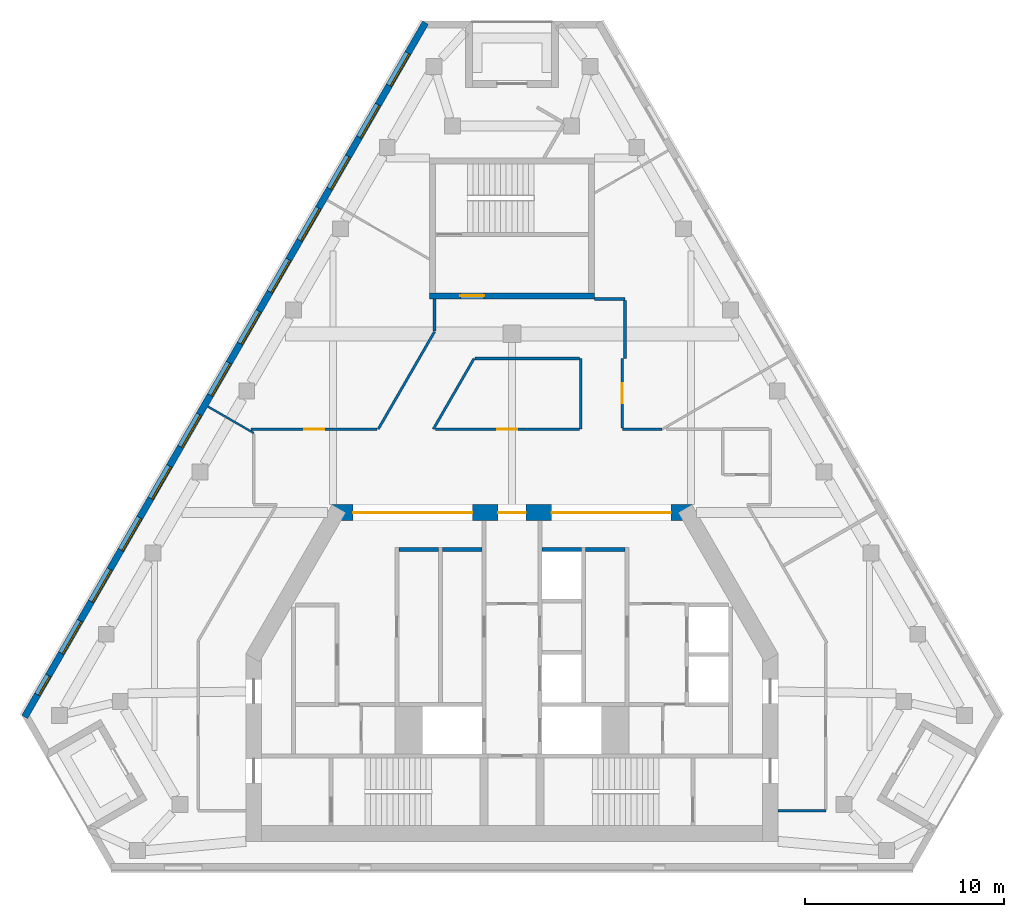
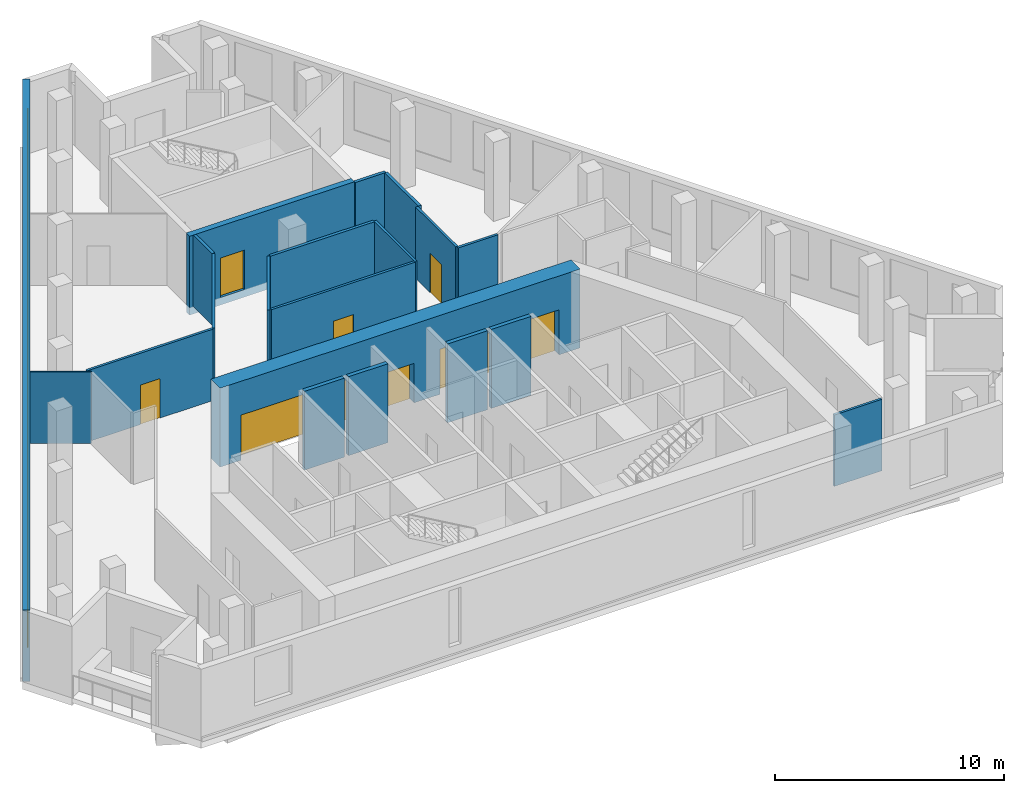
# One storey, part 4 of 8: 20 walls, 13 windows, 7 doors, 20 openings.
"""IFC4 building model written with IfcOpenShell, lengths in metres."""

from ifc_helpers import new_model, si_unit, direction, frame, frame_2d, origin, place, context, subcontext, project, spatial, rectangle, extrude, material, layer, layer_set, type_object, element, fill, save


model = new_model("IFC4")

# Units and contexts
model_context = context("Model", 3, precision=1e-05, world=origin(), true_north=direction((0.0, 1.0)))
body_context = subcontext(model_context, "Body", "Model", "MODEL_VIEW")
ifc_project = project(units=[si_unit("LENGTHUNIT", "METRE"), si_unit("AREAUNIT", "SQUARE_METRE"), si_unit("VOLUMEUNIT", "CUBIC_METRE"), si_unit("PLANEANGLEUNIT", "RADIAN"), si_unit("MASSUNIT", "GRAM", prefix="KILO")], contexts=[model_context])

# Site, building, storey
site_placement = place(None, origin())
site = spatial("IfcSite", under=ifc_project, at=site_placement, CompositionType="ELEMENT")
building_placement = place(site_placement, origin())
building = spatial("IfcBuilding", under=site, at=building_placement, Name="Fogline Exchange Tower", CompositionType="ELEMENT")
storey_placement = place(building_placement, frame((0.0, 0.0, 309.89990234375)))
storey = spatial("IfcBuildingStorey", under=building, at=storey_placement, Name="L70", CompositionType="ELEMENT", Elevation=309.89990234375)

# Walls
ifc_material_1 = material(Name="Concrete C40", Category="concrete")
ifc_layer_1 = layer(ifc_material_1, 0.199951171875)
ifc_layer_set_1 = layer_set([ifc_layer_1], Name="CW20S")
wall_type_1 = type_object("IfcWallType", Name="CW20S", PredefinedType="SOLIDWALL", material=ifc_layer_set_1)
for number, where, z_axis, x_axis, name in (
    (1, (-5.699951171875, 16.14990234375, -0.39990234375), (0.0, 0.0, 1.0), (1.0, 0.0, 0.0), "Lift shaft wall"),
    (2, (-3.5, 16.14990234375, -0.39990234375), (0.0, 0.0, 1.0), (1.0, 0.0, 0.0), "Lift shaft wall"),
    (3, (3.699951171875, 16.14990234375, -0.39990234375), (0.0, 0.0, 1.0), (1.0, 0.0, 0.0), "Lift shaft wall"),
    (4, (1.5, 16.14990234375, -0.39990234375), (0.0, 0.0, 1.0), (1.0, 0.0, 0.0), "Lift shaft wall"),
):
    element("IfcWall", number, at=place(storey_placement, frame(where, z_axis=z_axis, x_axis=x_axis)), inside=storey, type_object=wall_type_1, Name=name, PredefinedType="SOLIDWALL", context=body_context, shape_type="SweptSolid", body=[
        extrude(rectangle(XDim=2.0, YDim=0.199951171875, at=frame_2d((1.0, 0.0))), origin(), (0.0, 0.0, 1.0), 4.199951171875),
    ])

# Wall, opening, door
ifc_layer_2 = layer(ifc_material_1, 0.300048828125)
ifc_layer_set_2 = layer_set([ifc_layer_2], Name="CW30")
wall_type_2 = type_object("IfcWallType", Name="CW30", PredefinedType="SOLIDWALL", material=ifc_layer_set_2)
wall_1_placement = place(storey_placement, frame((-4.14990234375, 28.906982421875, -0.39990234375), z_axis=(0.0, 0.0, 1.0), x_axis=(1.0, 0.0, 0.0)))
wall_1 = element("IfcWall", 5, at=wall_1_placement, inside=storey, type_object=wall_type_2, Name="Stair enclosure wall ST3", PredefinedType="SOLIDWALL", context=body_context, shape_type="SweptSolid", body=[
    extrude(rectangle(XDim=8.2998046875, YDim=0.300048828125, at=frame_2d((4.14990234375, 0.0))), origin(), (0.0, 0.0, 1.0), 4.199951171875),
])
opening_1_placement = place(wall_1_placement, frame((1.550048828125, 0.0, 0.39990234375)))
opening_1 = element("IfcOpeningElement", 6, at=opening_1_placement, cuts=wall_1, Name="Opening T22-C022", PredefinedType="OPENING", context=body_context, shape_type="SweptSolid", body=[
    extrude(rectangle(XDim=1.199951171875, YDim=2.10009765625, at=frame_2d((0.60009765625, 1.050048828125))), frame((0.0, 0.16015625, 0.0), z_axis=(0.0, -1.0, 0.0), x_axis=(1.0, 0.0, 0.0)), (0.0, 0.0, 1.0), 0.320068359375),
])
ifc_material_2 = material(Name="Steel and timber fire door", Category="steel")
door_type_1 = type_object("IfcDoorType", Name="D-FR1", OperationType="SINGLE_SWING_RIGHT", PredefinedType="DOOR", material=ifc_material_2)
door_1_placement = place(opening_1_placement, origin())
door_1 = element("IfcDoor", 7, at=door_1_placement, inside=storey, type_object=door_type_1, Name="Front room door ST3", OperationType="SINGLE_SWING_LEFT", OverallHeight=2.10009765625, OverallWidth=1.199951171875, PredefinedType="DOOR", context=body_context, shape_type="SweptSolid", body=[
    extrude(rectangle(XDim=1.199951171875, YDim=2.10009765625, at=frame_2d((0.60009765625, 1.050048828125))), frame((0.0, 0.02490234375, 0.0), z_axis=(0.0, -1.0, 0.0), x_axis=(1.0, 0.0, 0.0)), (0.0, 0.0, 1.0), 0.050048828125),
])
fill(opening_1, door_1)

# Wall, openings, windows
ifc_material_3 = material(Name="Brick masonry", Category="masonry")
ifc_layer_3 = layer(ifc_material_3, 0.340087890625)
ifc_layer_set_3 = layer_set([ifc_layer_3], Name="FW1")
wall_type_3 = type_object("IfcWallType", Name="FW1", PredefinedType="SOLIDWALL", material=ifc_layer_set_3)
wall_2_placement = place(storey_placement, frame((-4.352783203125, 42.66162109375, 0.0), z_axis=(0.0, 0.0, 1.0), x_axis=(-0.499998406252, -0.866026323933, 0.0)))
wall_2 = element("IfcWall", 8, at=wall_2_placement, inside=storey, type_object=wall_type_3, Name="Brick wall L70 W", PredefinedType="SOLIDWALL", context=body_context, shape_type="SweptSolid", body=[
    extrude(rectangle(XDim=40.359619140625, YDim=0.340087890625, at=frame_2d((20.1796875, 0.0))), origin(), (0.0, 0.0, 1.0), 3.800048828125),
])
opening_2_placement = place(wall_2_placement, frame((1.769775390625, 0.0, 0.89990234375)))
opening_2 = element("IfcOpeningElement", 9, at=opening_2_placement, cuts=wall_2, Name="Opening W3", PredefinedType="OPENING", context=body_context, shape_type="SweptSolid", body=[
    extrude(rectangle(XDim=1.885009765625, YDim=2.60009765625, at=frame_2d((0.9423828125, 1.300048828125))), frame((0.0, 0.18017578125, 0.0), z_axis=(0.0, -1.0, 0.0), x_axis=(1.0, 0.0, 0.0)), (0.0, 0.0, 1.0), 0.360107421875),
])
opening_3_placement = place(wall_2_placement, frame((4.769775390625, 0.0, 0.89990234375)))
opening_3 = element("IfcOpeningElement", 10, at=opening_3_placement, cuts=wall_2, Name="Opening W3", PredefinedType="OPENING", context=body_context, shape_type="SweptSolid", body=[
    extrude(rectangle(XDim=1.885009765625, YDim=2.60009765625, at=frame_2d((0.9423828125, 1.300048828125))), frame((0.0, 0.18017578125, 0.0), z_axis=(0.0, -1.0, 0.0), x_axis=(1.0, 0.0, 0.0)), (0.0, 0.0, 1.0), 0.360107421875),
])
opening_4_placement = place(wall_2_placement, frame((7.769775390625, 0.0, 0.89990234375)))
opening_4 = element("IfcOpeningElement", 11, at=opening_4_placement, cuts=wall_2, Name="Opening W3", PredefinedType="OPENING", context=body_context, shape_type="SweptSolid", body=[
    extrude(rectangle(XDim=1.885009765625, YDim=2.60009765625, at=frame_2d((0.9423828125, 1.300048828125))), frame((0.0, 0.18017578125, 0.0), z_axis=(0.0, -1.0, 0.0), x_axis=(1.0, 0.0, 0.0)), (0.0, 0.0, 1.0), 0.360107421875),
])
opening_5_placement = place(wall_2_placement, frame((10.769775390625, 0.0, 0.89990234375)))
opening_5 = element("IfcOpeningElement", 12, at=opening_5_placement, cuts=wall_2, Name="Opening W3", PredefinedType="OPENING", context=body_context, shape_type="SweptSolid", body=[
    extrude(rectangle(XDim=1.885009765625, YDim=2.60009765625, at=frame_2d((0.9423828125, 1.300048828125))), frame((0.0, 0.18017578125, 0.0), z_axis=(0.0, -1.0, 0.0), x_axis=(1.0, 0.0, 0.0)), (0.0, 0.0, 1.0), 0.360107421875),
])
opening_6_placement = place(wall_2_placement, frame((13.769775390625, 0.0, 0.89990234375)))
opening_6 = element("IfcOpeningElement", 13, at=opening_6_placement, cuts=wall_2, Name="Opening W3", PredefinedType="OPENING", context=body_context, shape_type="SweptSolid", body=[
    extrude(rectangle(XDim=1.885009765625, YDim=2.60009765625, at=frame_2d((0.9423828125, 1.300048828125))), frame((0.0, 0.18017578125, 0.0), z_axis=(0.0, -1.0, 0.0), x_axis=(1.0, 0.0, 0.0)), (0.0, 0.0, 1.0), 0.360107421875),
])
opening_7_placement = place(wall_2_placement, frame((16.769775390625, 0.0, 0.89990234375)))
opening_7 = element("IfcOpeningElement", 14, at=opening_7_placement, cuts=wall_2, Name="Opening W3", PredefinedType="OPENING", context=body_context, shape_type="SweptSolid", body=[
    extrude(rectangle(XDim=1.885009765625, YDim=2.60009765625, at=frame_2d((0.9423828125, 1.300048828125))), frame((0.0, 0.18017578125, 0.0), z_axis=(0.0, -1.0, 0.0), x_axis=(1.0, 0.0, 0.0)), (0.0, 0.0, 1.0), 0.360107421875),
])
opening_8_placement = place(wall_2_placement, frame((19.769775390625, 0.0, 0.89990234375)))
opening_8 = element("IfcOpeningElement", 15, at=opening_8_placement, cuts=wall_2, Name="Opening W3", PredefinedType="OPENING", context=body_context, shape_type="SweptSolid", body=[
    extrude(rectangle(XDim=1.885009765625, YDim=2.60009765625, at=frame_2d((0.9423828125, 1.300048828125))), frame((0.0, 0.18017578125, 0.0), z_axis=(0.0, -1.0, 0.0), x_axis=(1.0, 0.0, 0.0)), (0.0, 0.0, 1.0), 0.360107421875),
])
opening_9_placement = place(wall_2_placement, frame((22.769775390625, 0.0, 0.89990234375)))
opening_9 = element("IfcOpeningElement", 16, at=opening_9_placement, cuts=wall_2, Name="Opening W3", PredefinedType="OPENING", context=body_context, shape_type="SweptSolid", body=[
    extrude(rectangle(XDim=1.885009765625, YDim=2.60009765625, at=frame_2d((0.9423828125, 1.300048828125))), frame((0.0, 0.18017578125, 0.0), z_axis=(0.0, -1.0, 0.0), x_axis=(1.0, 0.0, 0.0)), (0.0, 0.0, 1.0), 0.360107421875),
])
opening_10_placement = place(wall_2_placement, frame((25.769775390625, 0.0, 0.89990234375)))
opening_10 = element("IfcOpeningElement", 17, at=opening_10_placement, cuts=wall_2, Name="Opening W3", PredefinedType="OPENING", context=body_context, shape_type="SweptSolid", body=[
    extrude(rectangle(XDim=1.885009765625, YDim=2.60009765625, at=frame_2d((0.9423828125, 1.300048828125))), frame((0.0, 0.18017578125, 0.0), z_axis=(0.0, -1.0, 0.0), x_axis=(1.0, 0.0, 0.0)), (0.0, 0.0, 1.0), 0.360107421875),
])
opening_11_placement = place(wall_2_placement, frame((28.769775390625, 0.0, 0.89990234375)))
opening_11 = element("IfcOpeningElement", 18, at=opening_11_placement, cuts=wall_2, Name="Opening W3", PredefinedType="OPENING", context=body_context, shape_type="SweptSolid", body=[
    extrude(rectangle(XDim=1.885009765625, YDim=2.60009765625, at=frame_2d((0.9423828125, 1.300048828125))), frame((0.0, 0.18017578125, 0.0), z_axis=(0.0, -1.0, 0.0), x_axis=(1.0, 0.0, 0.0)), (0.0, 0.0, 1.0), 0.360107421875),
])
opening_12_placement = place(wall_2_placement, frame((31.769775390625, 0.0, 0.89990234375)))
opening_12 = element("IfcOpeningElement", 19, at=opening_12_placement, cuts=wall_2, Name="Opening W3", PredefinedType="OPENING", context=body_context, shape_type="SweptSolid", body=[
    extrude(rectangle(XDim=1.885009765625, YDim=2.60009765625, at=frame_2d((0.9423828125, 1.300048828125))), frame((0.0, 0.18017578125, 0.0), z_axis=(0.0, -1.0, 0.0), x_axis=(1.0, 0.0, 0.0)), (0.0, 0.0, 1.0), 0.360107421875),
])
opening_13_placement = place(wall_2_placement, frame((34.769775390625, 0.0, 0.89990234375)))
opening_13 = element("IfcOpeningElement", 20, at=opening_13_placement, cuts=wall_2, Name="Opening W3", PredefinedType="OPENING", context=body_context, shape_type="SweptSolid", body=[
    extrude(rectangle(XDim=1.885009765625, YDim=2.60009765625, at=frame_2d((0.9423828125, 1.300048828125))), frame((0.0, 0.18017578125, 0.0), z_axis=(0.0, -1.0, 0.0), x_axis=(1.0, 0.0, 0.0)), (0.0, 0.0, 1.0), 0.360107421875),
])
opening_14_placement = place(wall_2_placement, frame((37.94970703125, 0.0, 0.89990234375)))
opening_14 = element("IfcOpeningElement", 21, at=opening_14_placement, cuts=wall_2, Name="Opening W4", PredefinedType="OPENING", context=body_context, shape_type="SweptSolid", body=[
    extrude(rectangle(XDim=1.114990234375, YDim=2.39990234375, at=frame_2d((0.5576171875, 1.199951171875))), frame((0.0, 0.18017578125, 0.0), z_axis=(0.0, -1.0, 0.0), x_axis=(1.0, 0.0, 0.0)), (0.0, 0.0, 1.0), 0.360107421875),
])
ifc_material_4 = material(Name="Aluminium and glass", Category="aluminium")
window_type_1 = type_object("IfcWindowType", Name="W3", PartitioningType="SINGLE_PANEL", PredefinedType="WINDOW", material=ifc_material_4)
window_1_placement = place(opening_2_placement, origin())
window_1 = element("IfcWindow", 22, at=window_1_placement, inside=storey, type_object=window_type_1, Name="W3 W3", OverallHeight=2.60009765625, OverallWidth=1.885009765625, PartitioningType="SINGLE_PANEL", PredefinedType="WINDOW", context=body_context, shape_type="SweptSolid", body=[
    extrude(rectangle(XDim=1.885009765625, YDim=2.60009765625, at=frame_2d((0.9423828125, 1.300048828125))), frame((0.0, 0.110107421875, 0.0), z_axis=(0.0, -1.0, 0.0), x_axis=(1.0, 0.0, 0.0)), (0.0, 0.0, 1.0), 0.06005859375),
])
fill(opening_2, window_1)
window_2_placement = place(opening_3_placement, origin())
window_2 = element("IfcWindow", 23, at=window_2_placement, inside=storey, type_object=window_type_1, Name="W3 W3", OverallHeight=2.60009765625, OverallWidth=1.885009765625, PartitioningType="SINGLE_PANEL", PredefinedType="WINDOW", context=body_context, shape_type="SweptSolid", body=[
    extrude(rectangle(XDim=1.885009765625, YDim=2.60009765625, at=frame_2d((0.9423828125, 1.300048828125))), frame((0.0, 0.110107421875, 0.0), z_axis=(0.0, -1.0, 0.0), x_axis=(1.0, 0.0, 0.0)), (0.0, 0.0, 1.0), 0.06005859375),
])
fill(opening_3, window_2)
window_3_placement = place(opening_4_placement, origin())
window_3 = element("IfcWindow", 24, at=window_3_placement, inside=storey, type_object=window_type_1, Name="W3 W3", OverallHeight=2.60009765625, OverallWidth=1.885009765625, PartitioningType="SINGLE_PANEL", PredefinedType="WINDOW", context=body_context, shape_type="SweptSolid", body=[
    extrude(rectangle(XDim=1.885009765625, YDim=2.60009765625, at=frame_2d((0.9423828125, 1.300048828125))), frame((0.0, 0.110107421875, 0.0), z_axis=(0.0, -1.0, 0.0), x_axis=(1.0, 0.0, 0.0)), (0.0, 0.0, 1.0), 0.06005859375),
])
fill(opening_4, window_3)
window_4_placement = place(opening_5_placement, origin())
window_4 = element("IfcWindow", 25, at=window_4_placement, inside=storey, type_object=window_type_1, Name="W3 W3", OverallHeight=2.60009765625, OverallWidth=1.885009765625, PartitioningType="SINGLE_PANEL", PredefinedType="WINDOW", context=body_context, shape_type="SweptSolid", body=[
    extrude(rectangle(XDim=1.885009765625, YDim=2.60009765625, at=frame_2d((0.9423828125, 1.300048828125))), frame((0.0, 0.110107421875, 0.0), z_axis=(0.0, -1.0, 0.0), x_axis=(1.0, 0.0, 0.0)), (0.0, 0.0, 1.0), 0.06005859375),
])
fill(opening_5, window_4)
window_5_placement = place(opening_6_placement, origin())
window_5 = element("IfcWindow", 26, at=window_5_placement, inside=storey, type_object=window_type_1, Name="W3 W3", OverallHeight=2.60009765625, OverallWidth=1.885009765625, PartitioningType="SINGLE_PANEL", PredefinedType="WINDOW", context=body_context, shape_type="SweptSolid", body=[
    extrude(rectangle(XDim=1.885009765625, YDim=2.60009765625, at=frame_2d((0.9423828125, 1.300048828125))), frame((0.0, 0.110107421875, 0.0), z_axis=(0.0, -1.0, 0.0), x_axis=(1.0, 0.0, 0.0)), (0.0, 0.0, 1.0), 0.06005859375),
])
fill(opening_6, window_5)
window_6_placement = place(opening_7_placement, origin())
window_6 = element("IfcWindow", 27, at=window_6_placement, inside=storey, type_object=window_type_1, Name="W3 W3", OverallHeight=2.60009765625, OverallWidth=1.885009765625, PartitioningType="SINGLE_PANEL", PredefinedType="WINDOW", context=body_context, shape_type="SweptSolid", body=[
    extrude(rectangle(XDim=1.885009765625, YDim=2.60009765625, at=frame_2d((0.9423828125, 1.300048828125))), frame((0.0, 0.110107421875, 0.0), z_axis=(0.0, -1.0, 0.0), x_axis=(1.0, 0.0, 0.0)), (0.0, 0.0, 1.0), 0.06005859375),
])
fill(opening_7, window_6)
window_7_placement = place(opening_8_placement, origin())
window_7 = element("IfcWindow", 28, at=window_7_placement, inside=storey, type_object=window_type_1, Name="W3 W3", OverallHeight=2.60009765625, OverallWidth=1.885009765625, PartitioningType="SINGLE_PANEL", PredefinedType="WINDOW", context=body_context, shape_type="SweptSolid", body=[
    extrude(rectangle(XDim=1.885009765625, YDim=2.60009765625, at=frame_2d((0.9423828125, 1.300048828125))), frame((0.0, 0.110107421875, 0.0), z_axis=(0.0, -1.0, 0.0), x_axis=(1.0, 0.0, 0.0)), (0.0, 0.0, 1.0), 0.06005859375),
])
fill(opening_8, window_7)
window_8_placement = place(opening_9_placement, origin())
window_8 = element("IfcWindow", 29, at=window_8_placement, inside=storey, type_object=window_type_1, Name="W3 W3", OverallHeight=2.60009765625, OverallWidth=1.885009765625, PartitioningType="SINGLE_PANEL", PredefinedType="WINDOW", context=body_context, shape_type="SweptSolid", body=[
    extrude(rectangle(XDim=1.885009765625, YDim=2.60009765625, at=frame_2d((0.9423828125, 1.300048828125))), frame((0.0, 0.110107421875, 0.0), z_axis=(0.0, -1.0, 0.0), x_axis=(1.0, 0.0, 0.0)), (0.0, 0.0, 1.0), 0.06005859375),
])
fill(opening_9, window_8)
window_9_placement = place(opening_10_placement, origin())
window_9 = element("IfcWindow", 30, at=window_9_placement, inside=storey, type_object=window_type_1, Name="W3 W3", OverallHeight=2.60009765625, OverallWidth=1.885009765625, PartitioningType="SINGLE_PANEL", PredefinedType="WINDOW", context=body_context, shape_type="SweptSolid", body=[
    extrude(rectangle(XDim=1.885009765625, YDim=2.60009765625, at=frame_2d((0.9423828125, 1.300048828125))), frame((0.0, 0.110107421875, 0.0), z_axis=(0.0, -1.0, 0.0), x_axis=(1.0, 0.0, 0.0)), (0.0, 0.0, 1.0), 0.06005859375),
])
fill(opening_10, window_9)
window_10_placement = place(opening_11_placement, origin())
window_10 = element("IfcWindow", 31, at=window_10_placement, inside=storey, type_object=window_type_1, Name="W3 W3", OverallHeight=2.60009765625, OverallWidth=1.885009765625, PartitioningType="SINGLE_PANEL", PredefinedType="WINDOW", context=body_context, shape_type="SweptSolid", body=[
    extrude(rectangle(XDim=1.885009765625, YDim=2.60009765625, at=frame_2d((0.9423828125, 1.300048828125))), frame((0.0, 0.110107421875, 0.0), z_axis=(0.0, -1.0, 0.0), x_axis=(1.0, 0.0, 0.0)), (0.0, 0.0, 1.0), 0.06005859375),
])
fill(opening_11, window_10)
window_11_placement = place(opening_12_placement, origin())
window_11 = element("IfcWindow", 32, at=window_11_placement, inside=storey, type_object=window_type_1, Name="W3 W3", OverallHeight=2.60009765625, OverallWidth=1.885009765625, PartitioningType="SINGLE_PANEL", PredefinedType="WINDOW", context=body_context, shape_type="SweptSolid", body=[
    extrude(rectangle(XDim=1.885009765625, YDim=2.60009765625, at=frame_2d((0.9423828125, 1.300048828125))), frame((0.0, 0.110107421875, 0.0), z_axis=(0.0, -1.0, 0.0), x_axis=(1.0, 0.0, 0.0)), (0.0, 0.0, 1.0), 0.06005859375),
])
fill(opening_12, window_11)
window_12_placement = place(opening_13_placement, origin())
window_12 = element("IfcWindow", 33, at=window_12_placement, inside=storey, type_object=window_type_1, Name="W3 W3", OverallHeight=2.60009765625, OverallWidth=1.885009765625, PartitioningType="SINGLE_PANEL", PredefinedType="WINDOW", context=body_context, shape_type="SweptSolid", body=[
    extrude(rectangle(XDim=1.885009765625, YDim=2.60009765625, at=frame_2d((0.9423828125, 1.300048828125))), frame((0.0, 0.110107421875, 0.0), z_axis=(0.0, -1.0, 0.0), x_axis=(1.0, 0.0, 0.0)), (0.0, 0.0, 1.0), 0.06005859375),
])
fill(opening_13, window_12)
window_type_2 = type_object("IfcWindowType", Name="W4", PartitioningType="SINGLE_PANEL", PredefinedType="WINDOW", material=ifc_material_4)
window_13_placement = place(opening_14_placement, origin())
window_13 = element("IfcWindow", 34, at=window_13_placement, inside=storey, type_object=window_type_2, Name="W4 W4", OverallHeight=2.39990234375, OverallWidth=1.114990234375, PartitioningType="SINGLE_PANEL", PredefinedType="WINDOW", context=body_context, shape_type="SweptSolid", body=[
    extrude(rectangle(XDim=1.114990234375, YDim=2.39990234375, at=frame_2d((0.5576171875, 1.199951171875))), frame((0.0, 0.110107421875, 0.0), z_axis=(0.0, -1.0, 0.0), x_axis=(1.0, 0.0, 0.0)), (0.0, 0.0, 1.0), 0.06005859375),
])
fill(opening_14, window_13)

# Walls
ifc_material_5 = material(Name="Plasterboard partition, 2 layers each side on steel studs", Category="steel")
ifc_layer_4 = layer(ifc_material_5, 0.10009765625)
ifc_layer_set_4 = layer_set([ifc_layer_4], Name="PW1")
wall_type_4 = type_object("IfcWallType", Name="PW1", PredefinedType="PARTITIONING", material=ifc_layer_set_4)
wall_3_placement = place(storey_placement, frame((-13.0, 22.005615234375, 0.0), z_axis=(0.0, 0.0, 1.0), x_axis=(-0.865999751816, 0.500044427881, 0.0)))
element("IfcWall", 35, at=wall_3_placement, inside=storey, type_object=wall_type_4, Name="wall-L70-W034", PredefinedType="PARTITIONING", context=body_context, shape_type="SweptSolid", body=[
    extrude(rectangle(XDim=2.669189453125, YDim=0.10009765625, at=frame_2d((1.33447265625, 0.0))), origin(), (0.0, 0.0, 1.0), 3.800048828125),
])
ifc_material_6 = material(Name="Plasterboard corridor partition with mineral wool, 2 layers each side")
ifc_layer_5 = layer(ifc_material_6, 0.125)
ifc_layer_set_5 = layer_set([ifc_layer_5], Name="PW2")
wall_type_5 = type_object("IfcWallType", Name="PW2", PredefinedType="PARTITIONING", material=ifc_layer_set_5)
wall_4_placement = place(storey_placement, frame((15.800048828125, 3.0, 0.0), z_axis=(0.0, 0.0, 1.0), x_axis=(-1.0, 0.0, 0.0)))
element("IfcWall", 36, at=wall_4_placement, inside=storey, type_object=wall_type_5, Name="wall-L70-W004", PredefinedType="PARTITIONING", context=body_context, shape_type="SweptSolid", body=[
    extrude(rectangle(XDim=2.400146484375, YDim=0.125, at=frame_2d((1.2001953125, 0.0))), origin(), (0.0, 0.0, 1.0), 3.800048828125),
])
wall_5_placement = place(storey_placement, frame((5.550048828125, 22.199951171875, 0.0), z_axis=(0.0, 0.0, 1.0), x_axis=(1.0, 0.0, 0.0)))
element("IfcWall", 37, at=wall_5_placement, inside=storey, type_object=wall_type_5, Name="wall-L70-W010", PredefinedType="PARTITIONING", context=body_context, shape_type="SweptSolid", body=[
    extrude(rectangle(XDim=1.990966796875, YDim=0.125, at=frame_2d((0.99560546875, 0.0))), origin(), (0.0, 0.0, 1.0), 3.800048828125),
])

# Wall, opening, door
wall_6_placement = place(storey_placement, frame((-3.852294921875, 22.199951171875, 0.0), z_axis=(0.0, 0.0, 1.0), x_axis=(1.0, 0.0, 0.0)))
wall_6 = element("IfcWall", 38, at=wall_6_placement, inside=storey, type_object=wall_type_5, Name="wall-L70-W011", PredefinedType="PARTITIONING", context=body_context, shape_type="SweptSolid", body=[
    extrude(rectangle(XDim=7.23974609375, YDim=0.125, at=frame_2d((3.619873046875, 0.0))), origin(), (0.0, 0.0, 1.0), 3.800048828125),
])
opening_15_placement = place(wall_6_placement, frame((3.119873046875, 0.0, 0.0)))
opening_15 = element("IfcOpeningElement", 39, at=opening_15_placement, cuts=wall_6, Name="Opening T22-D004", PredefinedType="OPENING", context=body_context, shape_type="SweptSolid", body=[
    extrude(rectangle(XDim=1.0, YDim=2.10009765625, at=frame_2d((0.5, 1.050048828125))), frame((0.0, 0.072509765625, 0.0), z_axis=(0.0, -1.0, 0.0), x_axis=(1.0, 0.0, 0.0)), (0.0, 0.0, 1.0), 0.14501953125),
])
ifc_material_7 = material(Name="Fire-rated timber door leaf with steel frame", Category="steel")
door_type_2 = type_object("IfcDoorType", Name="D3", OperationType="SINGLE_SWING_LEFT", PredefinedType="DOOR", material=ifc_material_7)
door_2_placement = place(opening_15_placement, origin())
door_2 = element("IfcDoor", 40, at=door_2_placement, inside=storey, type_object=door_type_2, Name="door-L70-D004", OperationType="SINGLE_SWING_LEFT", OverallHeight=2.10009765625, OverallWidth=1.0, PredefinedType="DOOR", context=body_context, shape_type="SweptSolid", body=[
    extrude(rectangle(XDim=1.0, YDim=2.10009765625, at=frame_2d((0.5, 1.050048828125))), frame((0.0, 0.02490234375, 0.0), z_axis=(0.0, -1.0, 0.0), x_axis=(1.0, 0.0, 0.0)), (0.0, 0.0, 1.0), 0.050048828125),
])
fill(opening_15, door_2)

wall_7_placement = place(storey_placement, frame((-13.12890625, 22.199951171875, 0.0), z_axis=(0.0, 0.0, 1.0), x_axis=(1.0, 0.0, 0.0)))
wall_7 = element("IfcWall", 41, at=wall_7_placement, inside=storey, type_object=wall_type_5, Name="wall-L70-W012", PredefinedType="PARTITIONING", context=body_context, shape_type="SweptSolid", body=[
    extrude(rectangle(XDim=6.34228515625, YDim=0.125, at=frame_2d((3.171142578125, 0.0))), origin(), (0.0, 0.0, 1.0), 3.800048828125),
])
opening_16_placement = place(wall_7_placement, frame((2.671142578125, 0.0, 0.0)))
opening_16 = element("IfcOpeningElement", 42, at=opening_16_placement, cuts=wall_7, Name="Opening T22-D005", PredefinedType="OPENING", context=body_context, shape_type="SweptSolid", body=[
    extrude(rectangle(XDim=1.0, YDim=2.10009765625, at=frame_2d((0.5, 1.050048828125))), frame((0.0, 0.072509765625, 0.0), z_axis=(0.0, -1.0, 0.0), x_axis=(1.0, 0.0, 0.0)), (0.0, 0.0, 1.0), 0.14501953125),
])
door_3_placement = place(opening_16_placement, origin())
door_3 = element("IfcDoor", 43, at=door_3_placement, inside=storey, type_object=door_type_2, Name="door-L70-D005", OperationType="SINGLE_SWING_LEFT", OverallHeight=2.10009765625, OverallWidth=1.0, PredefinedType="DOOR", context=body_context, shape_type="SweptSolid", body=[
    extrude(rectangle(XDim=1.0, YDim=2.10009765625, at=frame_2d((0.5, 1.050048828125))), frame((0.0, 0.02490234375, 0.0), z_axis=(0.0, -1.0, 0.0), x_axis=(1.0, 0.0, 0.0)), (0.0, 0.0, 1.0), 0.050048828125),
])
fill(opening_16, door_3)

wall_8_placement = place(storey_placement, frame((5.550048828125, 25.757080078125, 0.0), z_axis=(0.0, 0.0, 1.0), x_axis=(0.0, -1.0, 0.0)))
wall_8 = element("IfcWall", 44, at=wall_8_placement, inside=storey, type_object=wall_type_5, Name="wall-L70-W022", PredefinedType="PARTITIONING", context=body_context, shape_type="SweptSolid", body=[
    extrude(rectangle(XDim=3.49462890625, YDim=0.125, at=frame_2d((1.747314453125, 0.0))), origin(), (0.0, 0.0, 1.0), 3.800048828125),
])
opening_17_placement = place(wall_8_placement, frame((1.247314453125, 0.0, 0.0)))
opening_17 = element("IfcOpeningElement", 45, at=opening_17_placement, cuts=wall_8, Name="Opening T22-D007", PredefinedType="OPENING", context=body_context, shape_type="SweptSolid", body=[
    extrude(rectangle(XDim=1.0, YDim=2.10009765625, at=frame_2d((0.5, 1.050048828125))), frame((0.0, 0.072509765625, 0.0), z_axis=(0.0, -1.0, 0.0), x_axis=(1.0, 0.0, 0.0)), (0.0, 0.0, 1.0), 0.14501953125),
])
door_4_placement = place(opening_17_placement, origin())
door_4 = element("IfcDoor", 46, at=door_4_placement, inside=storey, type_object=door_type_2, Name="door-L70-D007", OperationType="SINGLE_SWING_LEFT", OverallHeight=2.10009765625, OverallWidth=1.0, PredefinedType="DOOR", context=body_context, shape_type="SweptSolid", body=[
    extrude(rectangle(XDim=1.0, YDim=2.10009765625, at=frame_2d((0.5, 1.050048828125))), frame((0.0, 0.02490234375, 0.0), z_axis=(0.0, -1.0, 0.0), x_axis=(1.0, 0.0, 0.0)), (0.0, 0.0, 1.0), 0.050048828125),
])
fill(opening_17, door_4)

# Walls
wall_9_placement = place(storey_placement, frame((3.449951171875, 22.199951171875, 0.0), z_axis=(0.0, 0.0, 1.0), x_axis=(0.0, 1.0, 0.0)))
element("IfcWall", 47, at=wall_9_placement, inside=storey, type_object=wall_type_5, Name="wall-L70-W023", PredefinedType="PARTITIONING", context=body_context, shape_type="SweptSolid", body=[
    extrude(rectangle(XDim=3.55712890625, YDim=0.125, at=frame_2d((1.778564453125, 0.0))), origin(), (0.0, 0.0, 1.0), 3.800048828125),
])
wall_10_placement = place(storey_placement, frame((-1.907470703125, 25.757080078125, 0.0), z_axis=(0.0, 0.0, 1.0), x_axis=(-0.500000293238, -0.866025234483, 0.0)))
element("IfcWall", 48, at=wall_10_placement, inside=storey, type_object=wall_type_5, Name="wall-L70-W024", PredefinedType="PARTITIONING", context=body_context, shape_type="SweptSolid", body=[
    extrude(rectangle(XDim=4.107421875, YDim=0.125, at=frame_2d((2.0537109375, 0.0))), origin(), (0.0, 0.0, 1.0), 3.800048828125),
])
wall_11_placement = place(storey_placement, frame((-6.732421875, 22.199951171875, 0.0), z_axis=(0.0, 0.0, 1.0), x_axis=(0.500004730061, 0.866022672865, 0.0)))
element("IfcWall", 49, at=wall_11_placement, inside=storey, type_object=wall_type_5, Name="wall-L70-W025", PredefinedType="PARTITIONING", context=body_context, shape_type="SweptSolid", body=[
    extrude(rectangle(XDim=5.6650390625, YDim=0.125, at=frame_2d((2.83251953125, 0.0))), origin(), (0.0, 0.0, 1.0), 3.800048828125),
])
ifc_material_8 = material(Name="Plasterboard stair lobby partition, 3 layers each side on steel studs", Category="steel")
ifc_layer_6 = layer(ifc_material_8, 0.14990234375)
ifc_layer_set_6 = layer_set([ifc_layer_6], Name="PW4")
wall_type_6 = type_object("IfcWallType", Name="PW4", PredefinedType="PARTITIONING", material=ifc_layer_set_6)
wall_12_placement = place(storey_placement, frame((4.14990234375, 28.757080078125, 0.0), z_axis=(0.0, 0.0, 1.0), x_axis=(1.0, 0.0, 0.0)))
element("IfcWall", 50, at=wall_12_placement, inside=storey, type_object=wall_type_6, Name="wall-L70-W018", PredefinedType="PARTITIONING", context=body_context, shape_type="SweptSolid", body=[
    extrude(rectangle(XDim=1.550048828125, YDim=0.14990234375, at=frame_2d((0.77490234375, 0.0))), origin(), (0.0, 0.0, 1.0), 3.800048828125),
])
wall_13_placement = place(storey_placement, frame((5.699951171875, 28.681884765625, 0.0), z_axis=(0.0, 0.0, 1.0), x_axis=(0.0, -1.0, 0.0)))
element("IfcWall", 51, at=wall_13_placement, inside=storey, type_object=wall_type_6, Name="wall-L70-W019", PredefinedType="PARTITIONING", context=body_context, shape_type="SweptSolid", body=[
    extrude(rectangle(XDim=2.9248046875, YDim=0.14990234375, at=frame_2d((1.46240234375, 0.0))), origin(), (0.0, 0.0, 1.0), 3.800048828125),
])
wall_14_placement = place(storey_placement, frame((3.387451171875, 25.757080078125, 0.0), z_axis=(0.0, 0.0, 1.0), x_axis=(-1.0, 0.0, 0.0)))
element("IfcWall", 52, at=wall_14_placement, inside=storey, type_object=wall_type_6, Name="wall-L70-W020", PredefinedType="PARTITIONING", context=body_context, shape_type="SweptSolid", body=[
    extrude(rectangle(XDim=5.2412109375, YDim=0.14990234375, at=frame_2d((2.62060546875, 0.0))), origin(), (0.0, 0.0, 1.0), 3.800048828125),
])
wall_15_placement = place(storey_placement, frame((-3.89990234375, 27.136962890625, 0.0), z_axis=(0.0, 0.0, 1.0), x_axis=(0.0, 1.0, 0.0)))
element("IfcWall", 53, at=wall_15_placement, inside=storey, type_object=wall_type_6, Name="wall-L70-W021", PredefinedType="PARTITIONING", context=body_context, shape_type="SweptSolid", body=[
    extrude(rectangle(XDim=1.6201171875, YDim=0.14990234375, at=frame_2d((0.81005859375, 0.0))), origin(), (0.0, 0.0, 1.0), 3.800048828125),
])

# Wall, openings, doors
ifc_material_9 = material(Name="Concrete C50", Category="concrete")
ifc_layer_7 = layer(ifc_material_9, 0.800048828125)
ifc_layer_set_7 = layer_set([ifc_layer_7], Name="SW04")
wall_type_7 = type_object("IfcWallType", Name="SW04", PredefinedType="SHEAR", material=ifc_layer_set_7)
wall_16_placement = place(storey_placement, frame((9.065185546875, 18.0, 0.0), z_axis=(0.0, 0.0, 1.0), x_axis=(-1.0, 0.0, 0.0)))
wall_16 = element("IfcWall", 54, at=wall_16_placement, inside=storey, type_object=wall_type_7, Name="L70-W904", PredefinedType="SHEAR", context=body_context, shape_type="SweptSolid", body=[
    extrude(rectangle(XDim=18.13037109375, YDim=0.800048828125, at=frame_2d((9.065185546875, 0.0))), origin(), (0.0, 0.0, 1.0), 4.2001953125),
])
opening_18_placement = place(wall_16_placement, frame((8.364990234375, 0.0, 0.0)))
opening_18 = element("IfcOpeningElement", 55, at=opening_18_placement, cuts=wall_16, Name="Opening T22-C019", PredefinedType="OPENING", context=body_context, shape_type="SweptSolid", body=[
    extrude(rectangle(XDim=1.39990234375, YDim=2.10009765625, at=frame_2d((0.699951171875, 1.050048828125))), frame((0.0, 0.41015625, 0.0), z_axis=(0.0, -1.0, 0.0), x_axis=(1.0, 0.0, 0.0)), (0.0, 0.0, 1.0), 0.820068359375),
])
opening_19_placement = place(wall_16_placement, frame((11.065185546875, 0.0, 0.0)))
opening_19 = element("IfcOpeningElement", 56, at=opening_19_placement, cuts=wall_16, Name="Opening T22-C020", PredefinedType="OPENING", context=body_context, shape_type="SweptSolid", body=[
    extrude(rectangle(XDim=6.0, YDim=2.39990234375, at=frame_2d((3.0, 1.199951171875))), frame((0.0, 0.41015625, 0.0), z_axis=(0.0, -1.0, 0.0), x_axis=(1.0, 0.0, 0.0)), (0.0, 0.0, 1.0), 0.820068359375),
])
opening_20_placement = place(wall_16_placement, frame((1.065185546875, 0.0, 0.0)))
opening_20 = element("IfcOpeningElement", 57, at=opening_20_placement, cuts=wall_16, Name="Opening T22-C021", PredefinedType="OPENING", context=body_context, shape_type="SweptSolid", body=[
    extrude(rectangle(XDim=6.0, YDim=2.39990234375, at=frame_2d((3.0, 1.199951171875))), frame((0.0, 0.41015625, 0.0), z_axis=(0.0, -1.0, 0.0), x_axis=(1.0, 0.0, 0.0)), (0.0, 0.0, 1.0), 0.820068359375),
])
door_type_3 = type_object("IfcDoorType", Name="D-LB1", OperationType="DOUBLE_DOOR_SINGLE_SWING", PredefinedType="DOOR", material=ifc_material_2)
door_5_placement = place(opening_18_placement, origin())
door_5 = element("IfcDoor", 58, at=door_5_placement, inside=storey, type_object=door_type_3, Name="Protected lobby door", OperationType="DOUBLE_DOOR_SINGLE_SWING", OverallHeight=2.10009765625, OverallWidth=1.39990234375, PredefinedType="DOOR", context=body_context, shape_type="SweptSolid", body=[
    extrude(rectangle(XDim=1.39990234375, YDim=2.10009765625, at=frame_2d((0.699951171875, 1.050048828125))), frame((0.0, 0.02490234375, 0.0), z_axis=(0.0, -1.0, 0.0), x_axis=(1.0, 0.0, 0.0)), (0.0, 0.0, 1.0), 0.050048828125),
])
fill(opening_18, door_5)
door_type_4 = type_object("IfcDoorType", Name="D-LE1", OperationType="DOUBLE_DOOR_SLIDING", PredefinedType="DOOR", material=ifc_material_2)
door_6_placement = place(opening_19_placement, origin())
door_6 = element("IfcDoor", 59, at=door_6_placement, inside=storey, type_object=door_type_4, Name="Lift lobby entrance west", OperationType="DOUBLE_DOOR_SLIDING", OverallHeight=2.39990234375, OverallWidth=6.0, PredefinedType="DOOR", context=body_context, shape_type="SweptSolid", body=[
    extrude(rectangle(XDim=6.0, YDim=2.39990234375, at=frame_2d((3.0, 1.199951171875))), frame((0.0, 0.02490234375, 0.0), z_axis=(0.0, -1.0, 0.0), x_axis=(1.0, 0.0, 0.0)), (0.0, 0.0, 1.0), 0.050048828125),
])
fill(opening_19, door_6)
door_7_placement = place(opening_20_placement, origin())
door_7 = element("IfcDoor", 60, at=door_7_placement, inside=storey, type_object=door_type_4, Name="Lift lobby entrance east", OperationType="DOUBLE_DOOR_SLIDING", OverallHeight=2.39990234375, OverallWidth=6.0, PredefinedType="DOOR", context=body_context, shape_type="SweptSolid", body=[
    extrude(rectangle(XDim=6.0, YDim=2.39990234375, at=frame_2d((3.0, 1.199951171875))), frame((0.0, 0.02490234375, 0.0), z_axis=(0.0, -1.0, 0.0), x_axis=(1.0, 0.0, 0.0)), (0.0, 0.0, 1.0), 0.050048828125),
])
fill(opening_20, door_7)

save(model, "model.ifc")
